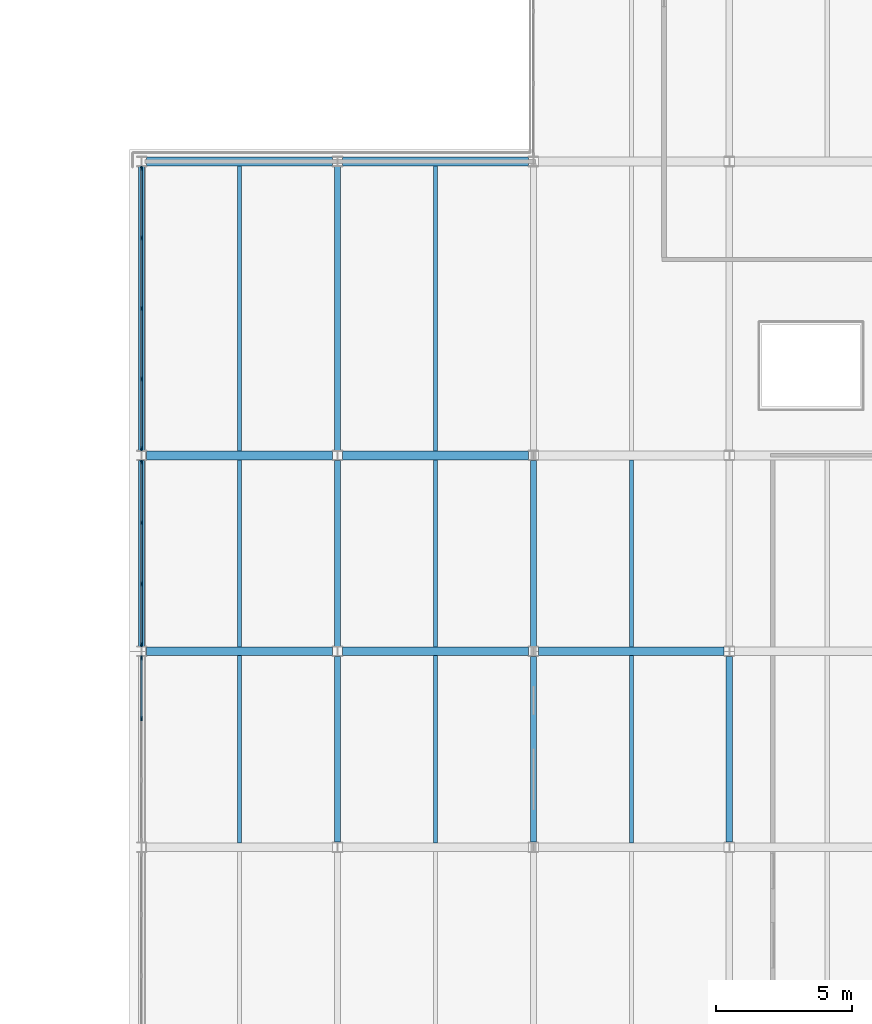
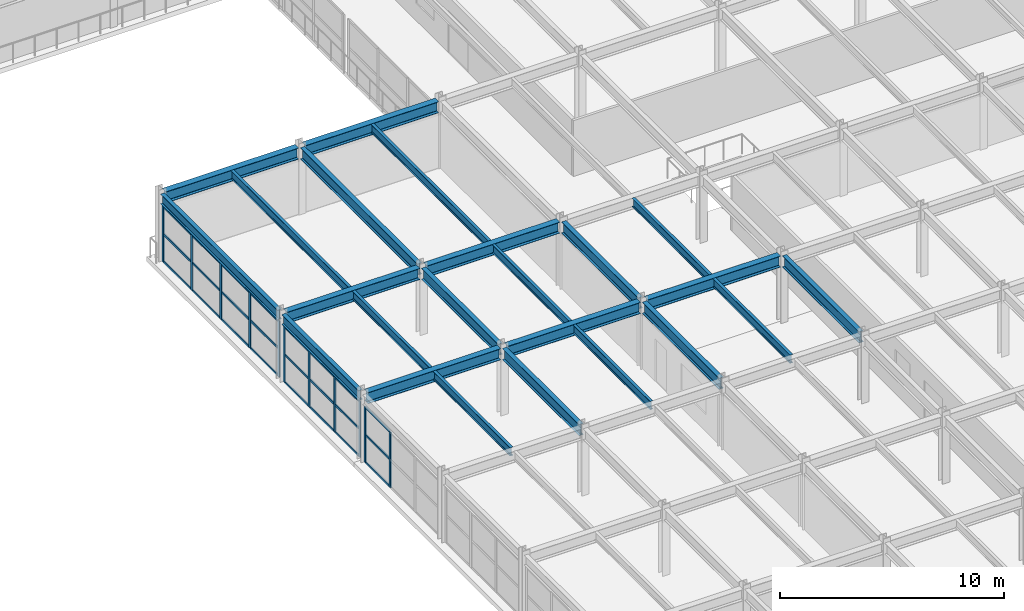
# One storey, part 34 of 93: 35 members, 23 beams, 3 elements without a shape of their own.
"""IFC4 building model written with IfcOpenShell, lengths in metres."""

from ifc_helpers import new_model, si_unit, direction, frame, origin, origin_2d, place, context, subcontext, project, spatial, rectangle, i_section, extrude, material, material_profile, profile_set, type_object, element, aggregate, save


model = new_model("IFC4")

# Units and contexts
model_context = context("Model", 3, precision=1e-05, world=origin(), true_north=direction((0.0, 1.0)))
body_context = subcontext(model_context, "Body", "Model", "MODEL_VIEW")
ifc_project = project(units=[si_unit("LENGTHUNIT", "METRE"), si_unit("AREAUNIT", "SQUARE_METRE"), si_unit("VOLUMEUNIT", "CUBIC_METRE"), si_unit("PLANEANGLEUNIT", "RADIAN"), si_unit("MASSUNIT", "GRAM", prefix="KILO")], contexts=[model_context])

# Site, building, storey
site_placement = place(None, origin())
site = spatial("IfcSite", under=ifc_project, at=site_placement, CompositionType="ELEMENT")
building_placement = place(site_placement, origin())
building = spatial("IfcBuilding", under=site, at=building_placement, Name="Vaelcorin Mobility Hub", CompositionType="ELEMENT")
storey_placement = place(building_placement, frame((0.0, 0.0, 5.39990234375)))
storey = spatial("IfcBuildingStorey", under=building, at=storey_placement, Name="L01", CompositionType="ELEMENT", Elevation=5.39990234375)

# Beams
ifc_material_1 = material(Name="Steel ASTM A992 Grade 50", Category="steel")
ifc_material_profile_1 = material_profile(ifc_material_1, i_section(OverallWidth=0.152099609375, OverallDepth=0.455078125, WebThickness=0.008056640625, FlangeThickness=0.01318359375, FilletRadius=0.012939453125, at=origin_2d()), Name="W18X40")
ifc_profile_set_1 = profile_set([ifc_material_profile_1], Name="Steel ASTM A992 Grade 50")
beam_type_1 = type_object("IfcBeamType", Name="BM-W18X40", PredefinedType="JOIST", material=ifc_profile_set_1)
for number, where, z_axis, x_axis, name in (
    (1, (157.199951171875, 34.9599609375, 3.443115234375), (0.0, 1.0, 0.0), (-1.0, 0.0, 0.0), "L01 Beam V5-L01-J-01-05-1"),
    (2, (157.199951171875, 42.159912109375, 3.443115234375), (0.0, 1.0, 0.0), (-1.0, 0.0, 0.0), "L01 Beam V5-L01-J-01-06-1"),
):
    element("IfcBeam", number, at=place(storey_placement, frame(where, z_axis=z_axis, x_axis=x_axis)), inside=storey, type_object=beam_type_1, Name=name, PredefinedType="JOIST", context=body_context, shape_type="SweptSolid", body=[
        extrude(i_section(OverallWidth=0.152099609375, OverallDepth=0.455078125, WebThickness=0.008056640625, FlangeThickness=0.01318359375, FilletRadius=0.012939453125, at=origin_2d()), origin(), (0.0, 0.0, 1.0), 6.880126953125),
    ])
beam_1_placement = place(storey_placement, frame((157.199951171875, 49.360107421875, 3.443115234375), z_axis=(0.0, 1.0, 0.0), x_axis=(-1.0, 0.0, 0.0)))
element("IfcBeam", 3, at=beam_1_placement, inside=storey, type_object=beam_type_1, Name="L01 Beam V5-L01-J-01-07-1", PredefinedType="JOIST", context=body_context, shape_type="SweptSolid", body=[
    extrude(i_section(OverallWidth=0.152099609375, OverallDepth=0.455078125, WebThickness=0.008056640625, FlangeThickness=0.01318359375, FilletRadius=0.012939453125, at=origin_2d()), origin(), (0.0, 0.0, 1.0), 10.47998046875),
])
for number, where, z_axis, x_axis, name in (
    (4, (164.39990234375, 34.9599609375, 3.443115234375), (0.0, 1.0, 0.0), (-1.0, 0.0, 0.0), "L01 Beam V5-L01-J-02-05-1"),
    (5, (164.39990234375, 42.159912109375, 3.443115234375), (0.0, 1.0, 0.0), (-1.0, 0.0, 0.0), "L01 Beam V5-L01-J-02-06-1"),
):
    element("IfcBeam", number, at=place(storey_placement, frame(where, z_axis=z_axis, x_axis=x_axis)), inside=storey, type_object=beam_type_1, Name=name, PredefinedType="JOIST", context=body_context, shape_type="SweptSolid", body=[
        extrude(i_section(OverallWidth=0.152099609375, OverallDepth=0.455078125, WebThickness=0.008056640625, FlangeThickness=0.01318359375, FilletRadius=0.012939453125, at=origin_2d()), origin(), (0.0, 0.0, 1.0), 6.880126953125),
    ])
beam_2_placement = place(storey_placement, frame((164.39990234375, 49.360107421875, 3.443115234375), z_axis=(0.0, 1.0, 0.0), x_axis=(-1.0, 0.0, 0.0)))
element("IfcBeam", 6, at=beam_2_placement, inside=storey, type_object=beam_type_1, Name="L01 Beam V5-L01-J-02-07-1", PredefinedType="JOIST", context=body_context, shape_type="SweptSolid", body=[
    extrude(i_section(OverallWidth=0.152099609375, OverallDepth=0.455078125, WebThickness=0.008056640625, FlangeThickness=0.01318359375, FilletRadius=0.012939453125, at=origin_2d()), origin(), (0.0, 0.0, 1.0), 10.47998046875),
])
for number, where, z_axis, x_axis, name in (
    (7, (171.60009765625, 34.9599609375, 3.443115234375), (0.0, 1.0, 0.0), (-1.0, 0.0, 0.0), "L01 Beam V5-L01-J-03-05-1"),
    (8, (171.60009765625, 42.159912109375, 3.443115234375), (0.0, 1.0, 0.0), (-1.0, 0.0, 0.0), "L01 Beam V5-L01-J-03-06-1"),
):
    element("IfcBeam", number, at=place(storey_placement, frame(where, z_axis=z_axis, x_axis=x_axis)), inside=storey, type_object=beam_type_1, Name=name, PredefinedType="JOIST", context=body_context, shape_type="SweptSolid", body=[
        extrude(i_section(OverallWidth=0.152099609375, OverallDepth=0.455078125, WebThickness=0.008056640625, FlangeThickness=0.01318359375, FilletRadius=0.012939453125, at=origin_2d()), origin(), (0.0, 0.0, 1.0), 6.880126953125),
    ])
ifc_material_profile_2 = material_profile(ifc_material_1, i_section(OverallWidth=0.2099609375, OverallDepth=0.535888671875, WebThickness=0.010986328125, FlangeThickness=0.017333984375, FilletRadius=0.013916015625, at=origin_2d()), Name="W21X68")
ifc_profile_set_2 = profile_set([ifc_material_profile_2], Name="Steel ASTM A992 Grade 50")
beam_type_2 = type_object("IfcBeamType", Name="BM-W21X68", PredefinedType="SPANDREL", material=ifc_profile_set_2)
beam_3_placement = place(storey_placement, frame((153.60009765625, 42.18408203125, 3.402099609375), z_axis=(0.0, 1.0, 0.0), x_axis=(-1.0, 0.0, 0.0)))
element("IfcBeam", 9, at=beam_3_placement, inside=storey, type_object=beam_type_2, Name="L01 Beam V5-L01-GY-01-06", PredefinedType="SPANDREL", context=body_context, shape_type="SweptSolid", body=[
    extrude(i_section(OverallWidth=0.2099609375, OverallDepth=0.535888671875, WebThickness=0.010986328125, FlangeThickness=0.017333984375, FilletRadius=0.013916015625, at=origin_2d()), origin(), (0.0, 0.0, 1.0), 6.83203125),
])
beam_4_placement = place(storey_placement, frame((153.60009765625, 49.384033203125, 3.402099609375), z_axis=(0.0, 1.0, 0.0), x_axis=(-1.0, 0.0, 0.0)))
element("IfcBeam", 10, at=beam_4_placement, inside=storey, type_object=beam_type_2, Name="L01 Beam V5-L01-GY-01-07", PredefinedType="SPANDREL", context=body_context, shape_type="SweptSolid", body=[
    extrude(i_section(OverallWidth=0.2099609375, OverallDepth=0.535888671875, WebThickness=0.010986328125, FlangeThickness=0.017333984375, FilletRadius=0.013916015625, at=origin_2d()), origin(), (0.0, 0.0, 1.0), 10.431884765625),
])
ifc_material_profile_3 = material_profile(ifc_material_1, i_section(OverallWidth=0.324951171875, OverallDepth=0.612060546875, WebThickness=0.0126953125, FlangeThickness=0.01904296875, FilletRadius=0.014892578125, at=origin_2d()), Name="W24X104")
ifc_profile_set_3 = profile_set([ifc_material_profile_3], Name="Steel ASTM A992 Grade 50")
beam_type_3 = type_object("IfcBeamType", Name="BM-W24X104", PredefinedType="BEAM", material=ifc_profile_set_3)
beam_5_placement = place(storey_placement, frame((153.783935546875, 42.0, 3.364013671875), z_axis=(1.0, 0.0, 0.0), x_axis=(0.0, 1.0, 0.0)))
element("IfcBeam", 11, at=beam_5_placement, inside=storey, type_object=beam_type_3, Name="L01 Beam V5-L01-GX-06-01", PredefinedType="BEAM", context=body_context, shape_type="SweptSolid", body=[
    extrude(i_section(OverallWidth=0.324951171875, OverallDepth=0.612060546875, WebThickness=0.0126953125, FlangeThickness=0.01904296875, FilletRadius=0.014892578125, at=origin_2d()), origin(), (0.0, 0.0, 1.0), 6.8310546875),
])
beam_6_placement = place(storey_placement, frame((160.98388671875, 42.0, 3.364013671875), z_axis=(1.0, 0.0, 0.0), x_axis=(0.0, 1.0, 0.0)))
element("IfcBeam", 12, at=beam_6_placement, inside=storey, type_object=beam_type_3, Name="L01 Beam V5-L01-GX-06-02", PredefinedType="BEAM", context=body_context, shape_type="SweptSolid", body=[
    extrude(i_section(OverallWidth=0.324951171875, OverallDepth=0.612060546875, WebThickness=0.0126953125, FlangeThickness=0.01904296875, FilletRadius=0.014892578125, at=origin_2d()), origin(), (0.0, 0.0, 1.0), 6.83203125),
])
beam_7_placement = place(storey_placement, frame((168.18408203125, 42.0, 3.364013671875), z_axis=(1.0, 0.0, 0.0), x_axis=(0.0, 1.0, 0.0)))
element("IfcBeam", 13, at=beam_7_placement, inside=storey, type_object=beam_type_3, Name="L01 Beam V5-L01-GX-06-03", PredefinedType="BEAM", context=body_context, shape_type="SweptSolid", body=[
    extrude(i_section(OverallWidth=0.324951171875, OverallDepth=0.612060546875, WebThickness=0.0126953125, FlangeThickness=0.01904296875, FilletRadius=0.014892578125, at=origin_2d()), origin(), (0.0, 0.0, 1.0), 6.830810546875),
])
beam_8_placement = place(storey_placement, frame((153.783935546875, 49.199951171875, 3.364013671875), z_axis=(1.0, 0.0, 0.0), x_axis=(0.0, 1.0, 0.0)))
element("IfcBeam", 14, at=beam_8_placement, inside=storey, type_object=beam_type_3, Name="L01 Beam V5-L01-GX-07-01", PredefinedType="BEAM", context=body_context, shape_type="SweptSolid", body=[
    extrude(i_section(OverallWidth=0.324951171875, OverallDepth=0.612060546875, WebThickness=0.0126953125, FlangeThickness=0.01904296875, FilletRadius=0.014892578125, at=origin_2d()), origin(), (0.0, 0.0, 1.0), 6.8310546875),
])
beam_9_placement = place(storey_placement, frame((160.98388671875, 49.199951171875, 3.364013671875), z_axis=(1.0, 0.0, 0.0), x_axis=(0.0, 1.0, 0.0)))
element("IfcBeam", 15, at=beam_9_placement, inside=storey, type_object=beam_type_3, Name="L01 Beam V5-L01-GX-07-02", PredefinedType="BEAM", context=body_context, shape_type="SweptSolid", body=[
    extrude(i_section(OverallWidth=0.324951171875, OverallDepth=0.612060546875, WebThickness=0.0126953125, FlangeThickness=0.01904296875, FilletRadius=0.014892578125, at=origin_2d()), origin(), (0.0, 0.0, 1.0), 6.83203125),
])
beam_10_placement = place(storey_placement, frame((153.783935546875, 60.0, 3.364013671875), z_axis=(1.0, 0.0, 0.0), x_axis=(0.0, 1.0, 0.0)))
element("IfcBeam", 16, at=beam_10_placement, inside=storey, type_object=beam_type_3, Name="L01 Beam V5-L01-GX-08-01", PredefinedType="BEAM", context=body_context, shape_type="SweptSolid", body=[
    extrude(i_section(OverallWidth=0.324951171875, OverallDepth=0.612060546875, WebThickness=0.0126953125, FlangeThickness=0.01904296875, FilletRadius=0.014892578125, at=origin_2d()), origin(), (0.0, 0.0, 1.0), 6.8310546875),
])
beam_11_placement = place(storey_placement, frame((160.98388671875, 60.0, 3.364013671875), z_axis=(1.0, 0.0, 0.0), x_axis=(0.0, 1.0, 0.0)))
element("IfcBeam", 17, at=beam_11_placement, inside=storey, type_object=beam_type_3, Name="L01 Beam V5-L01-GX-08-02", PredefinedType="BEAM", context=body_context, shape_type="SweptSolid", body=[
    extrude(i_section(OverallWidth=0.324951171875, OverallDepth=0.612060546875, WebThickness=0.0126953125, FlangeThickness=0.01904296875, FilletRadius=0.014892578125, at=origin_2d()), origin(), (0.0, 0.0, 1.0), 6.83203125),
])
ifc_material_profile_4 = material_profile(ifc_material_1, i_section(OverallWidth=0.22900390625, OverallDepth=0.612060546875, WebThickness=0.011962890625, FlangeThickness=0.01953125, FilletRadius=0.014892578125, at=origin_2d()), Name="W24X84")
ifc_profile_set_4 = profile_set([ifc_material_profile_4], Name="Steel ASTM A992 Grade 50")
beam_type_4 = type_object("IfcBeamType", Name="BM-W24X84", PredefinedType="BEAM", material=ifc_profile_set_4)
for number, where, z_axis, x_axis, name in (
    (18, (160.800048828125, 34.98388671875, 3.364013671875), (0.0, 1.0, 0.0), (-1.0, 0.0, 0.0), "L01 Beam V5-L01-GY-02-05"),
    (19, (160.800048828125, 42.18408203125, 3.364013671875), (0.0, 1.0, 0.0), (-1.0, 0.0, 0.0), "L01 Beam V5-L01-GY-02-06"),
):
    element("IfcBeam", number, at=place(storey_placement, frame(where, z_axis=z_axis, x_axis=x_axis)), inside=storey, type_object=beam_type_4, Name=name, PredefinedType="BEAM", context=body_context, shape_type="SweptSolid", body=[
        extrude(i_section(OverallWidth=0.22900390625, OverallDepth=0.612060546875, WebThickness=0.011962890625, FlangeThickness=0.01953125, FilletRadius=0.014892578125, at=origin_2d()), origin(), (0.0, 0.0, 1.0), 6.83203125),
    ])
beam_12_placement = place(storey_placement, frame((160.800048828125, 49.384033203125, 3.364013671875), z_axis=(0.0, 1.0, 0.0), x_axis=(-1.0, 0.0, 0.0)))
element("IfcBeam", 20, at=beam_12_placement, inside=storey, type_object=beam_type_4, Name="L01 Beam V5-L01-GY-02-07", PredefinedType="BEAM", context=body_context, shape_type="SweptSolid", body=[
    extrude(i_section(OverallWidth=0.22900390625, OverallDepth=0.612060546875, WebThickness=0.011962890625, FlangeThickness=0.01953125, FilletRadius=0.014892578125, at=origin_2d()), origin(), (0.0, 0.0, 1.0), 10.431884765625),
])
for number, where, z_axis, x_axis, name in (
    (21, (168.0, 34.98388671875, 3.364013671875), (0.0, 1.0, 0.0), (-1.0, 0.0, 0.0), "L01 Beam V5-L01-GY-03-05"),
    (22, (168.0, 42.18408203125, 3.364013671875), (0.0, 1.0, 0.0), (-1.0, 0.0, 0.0), "L01 Beam V5-L01-GY-03-06"),
    (23, (175.199951171875, 34.98388671875, 3.364013671875), (0.0, 1.0, 0.0), (-1.0, 0.0, 0.0), "L01 Beam V5-L01-GY-04-05"),
):
    element("IfcBeam", number, at=place(storey_placement, frame(where, z_axis=z_axis, x_axis=x_axis)), inside=storey, type_object=beam_type_4, Name=name, PredefinedType="BEAM", context=body_context, shape_type="SweptSolid", body=[
        extrude(i_section(OverallWidth=0.22900390625, OverallDepth=0.612060546875, WebThickness=0.011962890625, FlangeThickness=0.01953125, FilletRadius=0.014892578125, at=origin_2d()), origin(), (0.0, 0.0, 1.0), 6.83203125),
    ])

# Curtain wall, members
ifc_material_2 = material(Name="Anodised aluminium 6063-T6", Category="aluminium")
curtain_wall_type = type_object("IfcCurtainWallType", Name="CW-MOB-A", PredefinedType="NOTDEFINED", material=ifc_material_2)
curtain_wall_1_placement = place(storey_placement, origin())
curtain_wall_1 = element("IfcCurtainWall", 24, at=curtain_wall_1_placement, inside=storey, type_object=curtain_wall_type, Name="L01 Curtain Wall CW-V5-L01-WS-05", PredefinedType="NOTDEFINED")
ifc_material_profile_5 = material_profile(ifc_material_2, rectangle(XDim=0.06005859375, YDim=0.159912109375, at=origin_2d()), Name="ALU-M60X160")
ifc_profile_set_5 = profile_set([ifc_material_profile_5], Name="Anodised aluminium 6063-T6")
member_type_1 = type_object("IfcMemberType", Name="CW-MULL-160", PredefinedType="MULLION", material=ifc_profile_set_5)
member_1_placement = place(storey_placement, frame((153.60009765625, 39.526611328125, 0.0), z_axis=(0.0, 0.0, 1.0), x_axis=(-1.0, 0.0, 0.0)))
member_1 = element("IfcMember", 25, at=member_1_placement, type_object=member_type_1, Name="CW7 mullion 3", PredefinedType="MULLION", context=body_context, shape_type="SweptSolid", body=[
    extrude(rectangle(XDim=0.06005859375, YDim=0.159912109375, at=origin_2d()), origin(), (0.0, 0.0, 1.0), 3.043212890625),
])
member_2_placement = place(storey_placement, frame((153.60009765625, 41.75, 0.0), z_axis=(0.0, 0.0, 1.0), x_axis=(-1.0, 0.0, 0.0)))
member_2 = element("IfcMember", 26, at=member_2_placement, type_object=member_type_1, Name="CW7 mullion 4", PredefinedType="MULLION", context=body_context, shape_type="SweptSolid", body=[
    extrude(rectangle(XDim=0.06005859375, YDim=0.159912109375, at=origin_2d()), origin(), (0.0, 0.0, 1.0), 3.043212890625),
])

curtain_wall_2_placement = place(storey_placement, origin())
curtain_wall_2 = element("IfcCurtainWall", 27, at=curtain_wall_2_placement, inside=storey, type_object=curtain_wall_type, Name="L01 Curtain Wall CW-V5-L01-WS-06", PredefinedType="NOTDEFINED")
member_3_placement = place(storey_placement, frame((153.60009765625, 42.25, 0.0), z_axis=(0.0, 0.0, 1.0), x_axis=(-1.0, 0.0, 0.0)))
member_3 = element("IfcMember", 28, at=member_3_placement, type_object=member_type_1, Name="CW7 mullion 1", PredefinedType="MULLION", context=body_context, shape_type="SweptSolid", body=[
    extrude(rectangle(XDim=0.06005859375, YDim=0.159912109375, at=origin_2d()), origin(), (0.0, 0.0, 1.0), 3.043212890625),
])
member_4_placement = place(storey_placement, frame((153.60009765625, 44.473388671875, 0.0), z_axis=(0.0, 0.0, 1.0), x_axis=(-1.0, 0.0, 0.0)))
member_4 = element("IfcMember", 29, at=member_4_placement, type_object=member_type_1, Name="CW7 mullion 2", PredefinedType="MULLION", context=body_context, shape_type="SweptSolid", body=[
    extrude(rectangle(XDim=0.06005859375, YDim=0.159912109375, at=origin_2d()), origin(), (0.0, 0.0, 1.0), 3.043212890625),
])
member_5_placement = place(storey_placement, frame((153.60009765625, 46.7265625, 0.0), z_axis=(0.0, 0.0, 1.0), x_axis=(-1.0, 0.0, 0.0)))
member_5 = element("IfcMember", 30, at=member_5_placement, type_object=member_type_1, Name="CW7 mullion 3", PredefinedType="MULLION", context=body_context, shape_type="SweptSolid", body=[
    extrude(rectangle(XDim=0.06005859375, YDim=0.159912109375, at=origin_2d()), origin(), (0.0, 0.0, 1.0), 3.043212890625),
])
member_6_placement = place(storey_placement, frame((153.60009765625, 48.949951171875, 0.0), z_axis=(0.0, 0.0, 1.0), x_axis=(-1.0, 0.0, 0.0)))
member_6 = element("IfcMember", 31, at=member_6_placement, type_object=member_type_1, Name="CW7 mullion 4", PredefinedType="MULLION", context=body_context, shape_type="SweptSolid", body=[
    extrude(rectangle(XDim=0.06005859375, YDim=0.159912109375, at=origin_2d()), origin(), (0.0, 0.0, 1.0), 3.043212890625),
])

curtain_wall_3_placement = place(storey_placement, origin())
curtain_wall_3 = element("IfcCurtainWall", 32, at=curtain_wall_3_placement, inside=storey, type_object=curtain_wall_type, Name="L01 Curtain Wall CW-V5-L01-WS-07", PredefinedType="NOTDEFINED")
member_7_placement = place(storey_placement, frame((153.60009765625, 49.449951171875, 0.0), z_axis=(0.0, 0.0, 1.0), x_axis=(-1.0, 0.0, 0.0)))
member_7 = element("IfcMember", 33, at=member_7_placement, type_object=member_type_1, Name="CW7 mullion 1", PredefinedType="MULLION", context=body_context, shape_type="SweptSolid", body=[
    extrude(rectangle(XDim=0.06005859375, YDim=0.159912109375, at=origin_2d()), origin(), (0.0, 0.0, 1.0), 3.043212890625),
])
member_8_placement = place(storey_placement, frame((153.60009765625, 52.010009765625, 0.0), z_axis=(0.0, 0.0, 1.0), x_axis=(-1.0, 0.0, 0.0)))
member_8 = element("IfcMember", 34, at=member_8_placement, type_object=member_type_1, Name="CW7 mullion 2", PredefinedType="MULLION", context=body_context, shape_type="SweptSolid", body=[
    extrude(rectangle(XDim=0.06005859375, YDim=0.159912109375, at=origin_2d()), origin(), (0.0, 0.0, 1.0), 3.043212890625),
])
member_9_placement = place(storey_placement, frame((153.60009765625, 54.60009765625, 0.0), z_axis=(0.0, 0.0, 1.0), x_axis=(-1.0, 0.0, 0.0)))
member_9 = element("IfcMember", 35, at=member_9_placement, type_object=member_type_1, Name="CW7 mullion 3", PredefinedType="MULLION", context=body_context, shape_type="SweptSolid", body=[
    extrude(rectangle(XDim=0.06005859375, YDim=0.159912109375, at=origin_2d()), origin(), (0.0, 0.0, 1.0), 3.043212890625),
])
member_10_placement = place(storey_placement, frame((153.60009765625, 57.18994140625, 0.0), z_axis=(0.0, 0.0, 1.0), x_axis=(-1.0, 0.0, 0.0)))
member_10 = element("IfcMember", 36, at=member_10_placement, type_object=member_type_1, Name="CW7 mullion 4", PredefinedType="MULLION", context=body_context, shape_type="SweptSolid", body=[
    extrude(rectangle(XDim=0.06005859375, YDim=0.159912109375, at=origin_2d()), origin(), (0.0, 0.0, 1.0), 3.043212890625),
])
member_11_placement = place(storey_placement, frame((153.60009765625, 59.75, 0.0), z_axis=(0.0, 0.0, 1.0), x_axis=(-1.0, 0.0, 0.0)))
member_11 = element("IfcMember", 37, at=member_11_placement, type_object=member_type_1, Name="CW7 mullion 5", PredefinedType="MULLION", context=body_context, shape_type="SweptSolid", body=[
    extrude(rectangle(XDim=0.06005859375, YDim=0.159912109375, at=origin_2d()), origin(), (0.0, 0.0, 1.0), 3.043212890625),
])

# Member
ifc_material_profile_6 = material_profile(ifc_material_2, rectangle(XDim=0.06005859375, YDim=0.1201171875, at=origin_2d()), Name="ALU-T60X120")
ifc_profile_set_6 = profile_set([ifc_material_profile_6], Name="Anodised aluminium 6063-T6")
member_type_2 = type_object("IfcMemberType", Name="CW-TRAN-140", PredefinedType="USERDEFINED", material=ifc_profile_set_6)
member_12_placement = place(storey_placement, frame((153.60009765625, 39.556640625, 0.030029296875), z_axis=(0.0, 1.0, 0.0), x_axis=(-1.0, 0.0, 0.0)))
member_12 = element("IfcMember", 38, at=member_12_placement, type_object=member_type_2, Name="CW7 transom 3.1", ObjectType="TRANSOM", PredefinedType="USERDEFINED", context=body_context, shape_type="SweptSolid", body=[
    extrude(rectangle(XDim=0.06005859375, YDim=0.1201171875, at=origin_2d()), origin(), (0.0, 0.0, 1.0), 2.163330078125),
])

member_13_placement = place(storey_placement, frame((153.60009765625, 39.556640625, 1.522216796875), z_axis=(0.0, 1.0, 0.0), x_axis=(-1.0, 0.0, 0.0)))
member_13 = element("IfcMember", 39, at=member_13_placement, type_object=member_type_2, Name="CW7 transom 3.2", ObjectType="TRANSOM", PredefinedType="USERDEFINED", context=body_context, shape_type="SweptSolid", body=[
    extrude(rectangle(XDim=0.06005859375, YDim=0.1201171875, at=origin_2d()), origin(), (0.0, 0.0, 1.0), 2.163330078125),
])

member_14_placement = place(storey_placement, frame((153.60009765625, 39.556640625, 3.01318359375), z_axis=(0.0, 1.0, 0.0), x_axis=(-1.0, 0.0, 0.0)))
member_14 = element("IfcMember", 40, at=member_14_placement, type_object=member_type_2, Name="CW7 transom 3.3", ObjectType="TRANSOM", PredefinedType="USERDEFINED", context=body_context, shape_type="SweptSolid", body=[
    extrude(rectangle(XDim=0.06005859375, YDim=0.1201171875, at=origin_2d()), origin(), (0.0, 0.0, 1.0), 2.163330078125),
])

aggregate(curtain_wall_1, [member_1, member_2, member_12, member_13, member_14])

member_15_placement = place(storey_placement, frame((153.60009765625, 42.280029296875, 0.030029296875), z_axis=(0.0, 1.0, 0.0), x_axis=(-1.0, 0.0, 0.0)))
member_15 = element("IfcMember", 41, at=member_15_placement, type_object=member_type_2, Name="CW7 transom 1.1", ObjectType="TRANSOM", PredefinedType="USERDEFINED", context=body_context, shape_type="SweptSolid", body=[
    extrude(rectangle(XDim=0.06005859375, YDim=0.1201171875, at=origin_2d()), origin(), (0.0, 0.0, 1.0), 2.163330078125),
])

member_16_placement = place(storey_placement, frame((153.60009765625, 42.280029296875, 1.522216796875), z_axis=(0.0, 1.0, 0.0), x_axis=(-1.0, 0.0, 0.0)))
member_16 = element("IfcMember", 42, at=member_16_placement, type_object=member_type_2, Name="CW7 transom 1.2", ObjectType="TRANSOM", PredefinedType="USERDEFINED", context=body_context, shape_type="SweptSolid", body=[
    extrude(rectangle(XDim=0.06005859375, YDim=0.1201171875, at=origin_2d()), origin(), (0.0, 0.0, 1.0), 2.163330078125),
])

member_17_placement = place(storey_placement, frame((153.60009765625, 42.280029296875, 3.01318359375), z_axis=(0.0, 1.0, 0.0), x_axis=(-1.0, 0.0, 0.0)))
member_17 = element("IfcMember", 43, at=member_17_placement, type_object=member_type_2, Name="CW7 transom 1.3", ObjectType="TRANSOM", PredefinedType="USERDEFINED", context=body_context, shape_type="SweptSolid", body=[
    extrude(rectangle(XDim=0.06005859375, YDim=0.1201171875, at=origin_2d()), origin(), (0.0, 0.0, 1.0), 2.163330078125),
])

member_18_placement = place(storey_placement, frame((153.60009765625, 44.50341796875, 0.030029296875), z_axis=(0.0, 1.0, 0.0), x_axis=(-1.0, 0.0, 0.0)))
member_18 = element("IfcMember", 44, at=member_18_placement, type_object=member_type_2, Name="CW7 transom 2.1", ObjectType="TRANSOM", PredefinedType="USERDEFINED", context=body_context, shape_type="SweptSolid", body=[
    extrude(rectangle(XDim=0.06005859375, YDim=0.1201171875, at=origin_2d()), origin(), (0.0, 0.0, 1.0), 2.193359375),
])

member_19_placement = place(storey_placement, frame((153.60009765625, 44.50341796875, 1.522216796875), z_axis=(0.0, 1.0, 0.0), x_axis=(-1.0, 0.0, 0.0)))
member_19 = element("IfcMember", 45, at=member_19_placement, type_object=member_type_2, Name="CW7 transom 2.2", ObjectType="TRANSOM", PredefinedType="USERDEFINED", context=body_context, shape_type="SweptSolid", body=[
    extrude(rectangle(XDim=0.06005859375, YDim=0.1201171875, at=origin_2d()), origin(), (0.0, 0.0, 1.0), 2.193359375),
])

member_20_placement = place(storey_placement, frame((153.60009765625, 44.50341796875, 3.01318359375), z_axis=(0.0, 1.0, 0.0), x_axis=(-1.0, 0.0, 0.0)))
member_20 = element("IfcMember", 46, at=member_20_placement, type_object=member_type_2, Name="CW7 transom 2.3", ObjectType="TRANSOM", PredefinedType="USERDEFINED", context=body_context, shape_type="SweptSolid", body=[
    extrude(rectangle(XDim=0.06005859375, YDim=0.1201171875, at=origin_2d()), origin(), (0.0, 0.0, 1.0), 2.193359375),
])

member_21_placement = place(storey_placement, frame((153.60009765625, 46.756591796875, 0.030029296875), z_axis=(0.0, 1.0, 0.0), x_axis=(-1.0, 0.0, 0.0)))
member_21 = element("IfcMember", 47, at=member_21_placement, type_object=member_type_2, Name="CW7 transom 3.1", ObjectType="TRANSOM", PredefinedType="USERDEFINED", context=body_context, shape_type="SweptSolid", body=[
    extrude(rectangle(XDim=0.06005859375, YDim=0.1201171875, at=origin_2d()), origin(), (0.0, 0.0, 1.0), 2.163330078125),
])

member_22_placement = place(storey_placement, frame((153.60009765625, 46.756591796875, 1.522216796875), z_axis=(0.0, 1.0, 0.0), x_axis=(-1.0, 0.0, 0.0)))
member_22 = element("IfcMember", 48, at=member_22_placement, type_object=member_type_2, Name="CW7 transom 3.2", ObjectType="TRANSOM", PredefinedType="USERDEFINED", context=body_context, shape_type="SweptSolid", body=[
    extrude(rectangle(XDim=0.06005859375, YDim=0.1201171875, at=origin_2d()), origin(), (0.0, 0.0, 1.0), 2.163330078125),
])

member_23_placement = place(storey_placement, frame((153.60009765625, 46.756591796875, 3.01318359375), z_axis=(0.0, 1.0, 0.0), x_axis=(-1.0, 0.0, 0.0)))
member_23 = element("IfcMember", 49, at=member_23_placement, type_object=member_type_2, Name="CW7 transom 3.3", ObjectType="TRANSOM", PredefinedType="USERDEFINED", context=body_context, shape_type="SweptSolid", body=[
    extrude(rectangle(XDim=0.06005859375, YDim=0.1201171875, at=origin_2d()), origin(), (0.0, 0.0, 1.0), 2.163330078125),
])

aggregate(curtain_wall_2, [member_3, member_4, member_5, member_6, member_15, member_16, member_17, member_18, member_19, member_20, member_21, member_22, member_23])

member_24_placement = place(storey_placement, frame((153.60009765625, 49.47998046875, 0.030029296875), z_axis=(0.0, 1.0, 0.0), x_axis=(-1.0, 0.0, 0.0)))
member_24 = element("IfcMember", 50, at=member_24_placement, type_object=member_type_2, Name="CW7 transom 1.1", ObjectType="TRANSOM", PredefinedType="USERDEFINED", context=body_context, shape_type="SweptSolid", body=[
    extrude(rectangle(XDim=0.06005859375, YDim=0.1201171875, at=origin_2d()), origin(), (0.0, 0.0, 1.0), 2.5),
])

member_25_placement = place(storey_placement, frame((153.60009765625, 49.47998046875, 1.522216796875), z_axis=(0.0, 1.0, 0.0), x_axis=(-1.0, 0.0, 0.0)))
member_25 = element("IfcMember", 51, at=member_25_placement, type_object=member_type_2, Name="CW7 transom 1.2", ObjectType="TRANSOM", PredefinedType="USERDEFINED", context=body_context, shape_type="SweptSolid", body=[
    extrude(rectangle(XDim=0.06005859375, YDim=0.1201171875, at=origin_2d()), origin(), (0.0, 0.0, 1.0), 2.5),
])

member_26_placement = place(storey_placement, frame((153.60009765625, 49.47998046875, 3.01318359375), z_axis=(0.0, 1.0, 0.0), x_axis=(-1.0, 0.0, 0.0)))
member_26 = element("IfcMember", 52, at=member_26_placement, type_object=member_type_2, Name="CW7 transom 1.3", ObjectType="TRANSOM", PredefinedType="USERDEFINED", context=body_context, shape_type="SweptSolid", body=[
    extrude(rectangle(XDim=0.06005859375, YDim=0.1201171875, at=origin_2d()), origin(), (0.0, 0.0, 1.0), 2.5),
])

member_27_placement = place(storey_placement, frame((153.60009765625, 52.0400390625, 0.030029296875), z_axis=(0.0, 1.0, 0.0), x_axis=(-1.0, 0.0, 0.0)))
member_27 = element("IfcMember", 53, at=member_27_placement, type_object=member_type_2, Name="CW7 transom 2.1", ObjectType="TRANSOM", PredefinedType="USERDEFINED", context=body_context, shape_type="SweptSolid", body=[
    extrude(rectangle(XDim=0.06005859375, YDim=0.1201171875, at=origin_2d()), origin(), (0.0, 0.0, 1.0), 2.530029296875),
])

member_28_placement = place(storey_placement, frame((153.60009765625, 52.0400390625, 1.522216796875), z_axis=(0.0, 1.0, 0.0), x_axis=(-1.0, 0.0, 0.0)))
member_28 = element("IfcMember", 54, at=member_28_placement, type_object=member_type_2, Name="CW7 transom 2.2", ObjectType="TRANSOM", PredefinedType="USERDEFINED", context=body_context, shape_type="SweptSolid", body=[
    extrude(rectangle(XDim=0.06005859375, YDim=0.1201171875, at=origin_2d()), origin(), (0.0, 0.0, 1.0), 2.530029296875),
])

member_29_placement = place(storey_placement, frame((153.60009765625, 52.0400390625, 3.01318359375), z_axis=(0.0, 1.0, 0.0), x_axis=(-1.0, 0.0, 0.0)))
member_29 = element("IfcMember", 55, at=member_29_placement, type_object=member_type_2, Name="CW7 transom 2.3", ObjectType="TRANSOM", PredefinedType="USERDEFINED", context=body_context, shape_type="SweptSolid", body=[
    extrude(rectangle(XDim=0.06005859375, YDim=0.1201171875, at=origin_2d()), origin(), (0.0, 0.0, 1.0), 2.530029296875),
])

member_30_placement = place(storey_placement, frame((153.60009765625, 54.6298828125, 0.030029296875), z_axis=(0.0, 1.0, 0.0), x_axis=(-1.0, 0.0, 0.0)))
member_30 = element("IfcMember", 56, at=member_30_placement, type_object=member_type_2, Name="CW7 transom 3.1", ObjectType="TRANSOM", PredefinedType="USERDEFINED", context=body_context, shape_type="SweptSolid", body=[
    extrude(rectangle(XDim=0.06005859375, YDim=0.1201171875, at=origin_2d()), origin(), (0.0, 0.0, 1.0), 2.530029296875),
])

member_31_placement = place(storey_placement, frame((153.60009765625, 54.6298828125, 1.522216796875), z_axis=(0.0, 1.0, 0.0), x_axis=(-1.0, 0.0, 0.0)))
member_31 = element("IfcMember", 57, at=member_31_placement, type_object=member_type_2, Name="CW7 transom 3.2", ObjectType="TRANSOM", PredefinedType="USERDEFINED", context=body_context, shape_type="SweptSolid", body=[
    extrude(rectangle(XDim=0.06005859375, YDim=0.1201171875, at=origin_2d()), origin(), (0.0, 0.0, 1.0), 2.530029296875),
])

member_32_placement = place(storey_placement, frame((153.60009765625, 54.6298828125, 3.01318359375), z_axis=(0.0, 1.0, 0.0), x_axis=(-1.0, 0.0, 0.0)))
member_32 = element("IfcMember", 58, at=member_32_placement, type_object=member_type_2, Name="CW7 transom 3.3", ObjectType="TRANSOM", PredefinedType="USERDEFINED", context=body_context, shape_type="SweptSolid", body=[
    extrude(rectangle(XDim=0.06005859375, YDim=0.1201171875, at=origin_2d()), origin(), (0.0, 0.0, 1.0), 2.530029296875),
])

member_33_placement = place(storey_placement, frame((153.60009765625, 57.219970703125, 0.030029296875), z_axis=(0.0, 1.0, 0.0), x_axis=(-1.0, 0.0, 0.0)))
member_33 = element("IfcMember", 59, at=member_33_placement, type_object=member_type_2, Name="CW7 transom 4.1", ObjectType="TRANSOM", PredefinedType="USERDEFINED", context=body_context, shape_type="SweptSolid", body=[
    extrude(rectangle(XDim=0.06005859375, YDim=0.1201171875, at=origin_2d()), origin(), (0.0, 0.0, 1.0), 2.5),
])

member_34_placement = place(storey_placement, frame((153.60009765625, 57.219970703125, 1.522216796875), z_axis=(0.0, 1.0, 0.0), x_axis=(-1.0, 0.0, 0.0)))
member_34 = element("IfcMember", 60, at=member_34_placement, type_object=member_type_2, Name="CW7 transom 4.2", ObjectType="TRANSOM", PredefinedType="USERDEFINED", context=body_context, shape_type="SweptSolid", body=[
    extrude(rectangle(XDim=0.06005859375, YDim=0.1201171875, at=origin_2d()), origin(), (0.0, 0.0, 1.0), 2.5),
])

member_35_placement = place(storey_placement, frame((153.60009765625, 57.219970703125, 3.01318359375), z_axis=(0.0, 1.0, 0.0), x_axis=(-1.0, 0.0, 0.0)))
member_35 = element("IfcMember", 61, at=member_35_placement, type_object=member_type_2, Name="CW7 transom 4.3", ObjectType="TRANSOM", PredefinedType="USERDEFINED", context=body_context, shape_type="SweptSolid", body=[
    extrude(rectangle(XDim=0.06005859375, YDim=0.1201171875, at=origin_2d()), origin(), (0.0, 0.0, 1.0), 2.5),
])

aggregate(curtain_wall_3, [member_7, member_8, member_9, member_10, member_11, member_24, member_25, member_26, member_27, member_28, member_29, member_30, member_31, member_32, member_33, member_34, member_35])

save(model, "model.ifc")
